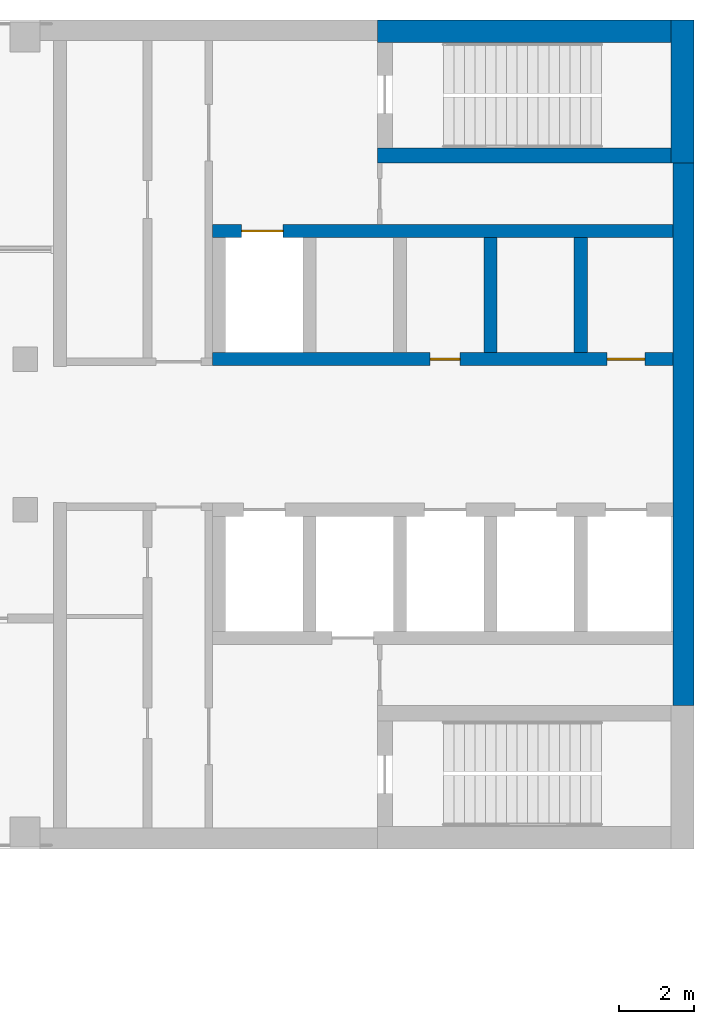
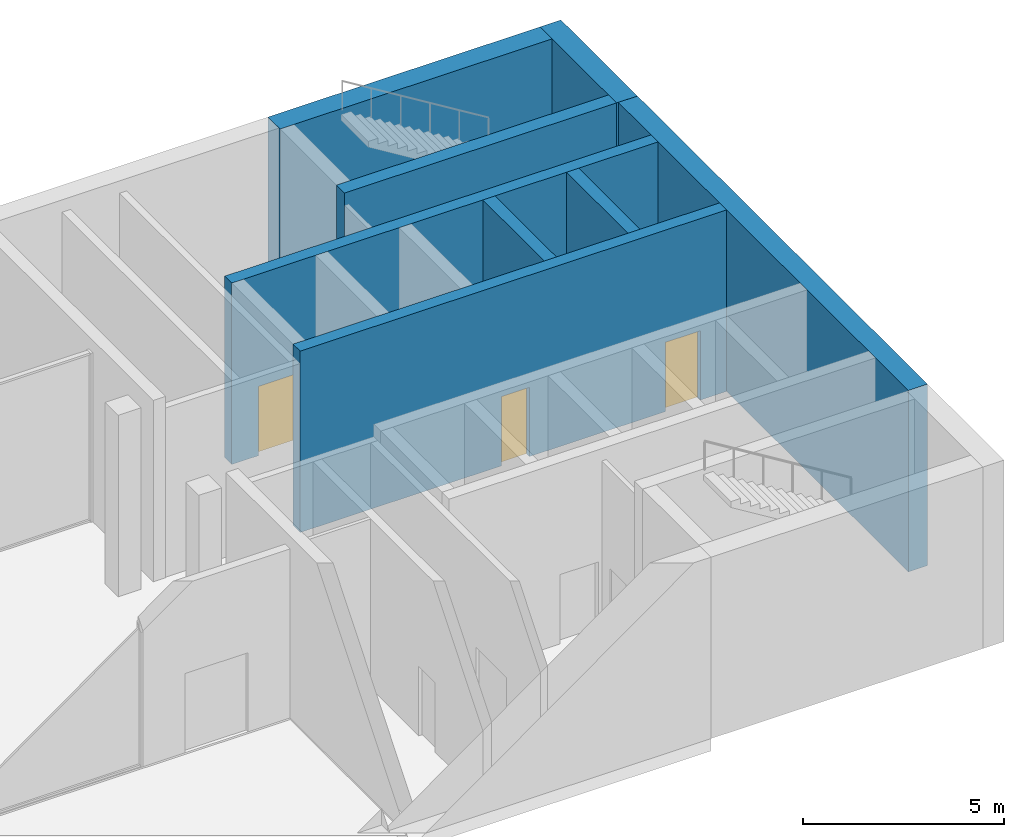
# One storey, part 11 of 17: 8 walls, 3 doors, 3 openings.
"""IFC4 building model written with IfcOpenShell, lengths in metres."""

from ifc_helpers import new_model, si_unit, direction, frame, frame_2d, origin, place, context, subcontext, project, spatial, rectangle, extrude, material, layer, layer_set, type_object, element, fill, save


model = new_model("IFC4")

# Units and contexts
model_context = context("Model", 3, precision=1e-05, world=origin(), true_north=direction((0.0, 1.0)))
body_context = subcontext(model_context, "Body", "Model", "MODEL_VIEW")
ifc_project = project(units=[si_unit("LENGTHUNIT", "METRE"), si_unit("AREAUNIT", "SQUARE_METRE"), si_unit("VOLUMEUNIT", "CUBIC_METRE"), si_unit("PLANEANGLEUNIT", "RADIAN"), si_unit("MASSUNIT", "GRAM", prefix="KILO")], contexts=[model_context])

# Site, building, storey
site_placement = place(None, origin())
site = spatial("IfcSite", under=ifc_project, at=site_placement, CompositionType="ELEMENT")
building_placement = place(site_placement, origin())
building = spatial("IfcBuilding", under=site, at=building_placement, Name="Skarvind Civic Tower", CompositionType="ELEMENT")
storey_placement = place(building_placement, frame((0.0, 0.0, 182.5)))
storey = spatial("IfcBuildingStorey", under=building, at=storey_placement, Name="L43", CompositionType="ELEMENT", Elevation=182.5)

# Wall, openings, doors
ifc_material_1 = material(Name="Concrete C60", Category="concrete")
ifc_layer_1 = layer(ifc_material_1, 0.35009765625)
ifc_layer_set_1 = layer_set([ifc_layer_1], Name="Core wall 350 C60")
wall_type_1 = type_object("IfcWallType", Name="Core wall 350 C60", PredefinedType="SHEAR", material=ifc_layer_set_1)
wall_1_placement = place(storey_placement, frame((107.449951171875, 130.0, 0.0), z_axis=(0.0, 0.0, 1.0), x_axis=(-1.0, 0.0, 0.0)))
wall_1 = element("IfcWall", 1, at=wall_1_placement, inside=storey, type_object=wall_type_1, Name="Core wall C1 south lift row front L43", PredefinedType="SHEAR", context=body_context, shape_type="SweptSolid", body=[
    extrude(rectangle(XDim=12.224853515625, YDim=0.35009765625, at=frame_2d((6.1123046875, 0.0))), origin(), (0.0, 0.0, 1.0), 5.5),
])
opening_1_placement = place(wall_1_placement, frame((0.75, 0.0, 0.0)))
opening_1 = element("IfcOpeningElement", 2, at=opening_1_placement, cuts=wall_1, Name="Opening D-L43-C1-05", PredefinedType="OPENING", context=body_context, shape_type="SweptSolid", body=[
    extrude(rectangle(XDim=1.0, YDim=2.10009765625, at=frame_2d((0.5, 1.050048828125))), frame((0.0, 0.18505859375, 0.0), z_axis=(0.0, -1.0, 0.0), x_axis=(1.0, 0.0, 0.0)), (0.0, 0.0, 1.0), 0.3701171875),
])
opening_2_placement = place(wall_1_placement, frame((5.64990234375, 0.0, 0.0)))
opening_2 = element("IfcOpeningElement", 3, at=opening_2_placement, cuts=wall_1, Name="Opening D-L43-C1-06", PredefinedType="OPENING", context=body_context, shape_type="SweptSolid", body=[
    extrude(rectangle(XDim=0.800048828125, YDim=2.10009765625, at=frame_2d((0.39990234375, 1.050048828125))), frame((0.0, 0.18505859375, 0.0), z_axis=(0.0, -1.0, 0.0), x_axis=(1.0, 0.0, 0.0)), (0.0, 0.0, 1.0), 0.3701171875),
])
ifc_material_2 = material(Name="Fire-rated steel door", Category="steel")
door_type_1 = type_object("IfcDoorType", Name="Core riser door 800", OperationType="NOTDEFINED", PredefinedType="DOOR", material=ifc_material_2)
door_1_placement = place(opening_2_placement, origin())
door_1 = element("IfcDoor", 4, at=door_1_placement, inside=storey, type_object=door_type_1, Name="Riser door", OperationType="SINGLE_SWING_RIGHT", OverallHeight=2.10009765625, OverallWidth=0.800048828125, PredefinedType="DOOR", context=body_context, shape_type="SweptSolid", body=[
    extrude(rectangle(XDim=0.800048828125, YDim=2.10009765625, at=frame_2d((0.39990234375, 1.050048828125))), frame((0.0, 0.02490234375, 0.0), z_axis=(0.0, -1.0, 0.0), x_axis=(1.0, 0.0, 0.0)), (0.0, 0.0, 1.0), 0.050048828125),
])
fill(opening_2, door_1)
door_type_2 = type_object("IfcDoorType", Name="Fire door 1000", OperationType="NOTDEFINED", PredefinedType="DOOR", material=ifc_material_2)
door_2_placement = place(opening_1_placement, origin())
door_2 = element("IfcDoor", 5, at=door_2_placement, inside=storey, type_object=door_type_2, Name="Fire door", OperationType="SINGLE_SWING_LEFT", OverallHeight=2.10009765625, OverallWidth=1.0, PredefinedType="DOOR", context=body_context, shape_type="SweptSolid", body=[
    extrude(rectangle(XDim=1.0, YDim=2.10009765625, at=frame_2d((0.5, 1.050048828125))), frame((0.0, 0.02490234375, 0.0), z_axis=(0.0, -1.0, 0.0), x_axis=(1.0, 0.0, 0.0)), (0.0, 0.0, 1.0), 0.050048828125),
])
fill(opening_1, door_2)

# Wall, opening, door
wall_2_placement = place(storey_placement, frame((107.449951171875, 133.39990234375, 0.0), z_axis=(0.0, 0.0, 1.0), x_axis=(-1.0, 0.0, 0.0)))
wall_2 = element("IfcWall", 6, at=wall_2_placement, inside=storey, type_object=wall_type_1, Name="Core wall C1 south lift row back L43", PredefinedType="SHEAR", context=body_context, shape_type="SweptSolid", body=[
    extrude(rectangle(XDim=12.224853515625, YDim=0.35009765625, at=frame_2d((6.1123046875, 0.0))), origin(), (0.0, 0.0, 1.0), 5.5),
])
opening_3_placement = place(wall_2_placement, frame((10.35009765625, 0.0, 0.0)))
opening_3 = element("IfcOpeningElement", 7, at=opening_3_placement, cuts=wall_2, Name="Opening LD45110", PredefinedType="OPENING", context=body_context, shape_type="SweptSolid", body=[
    extrude(rectangle(XDim=1.10009765625, YDim=2.10009765625, at=frame_2d((0.550048828125, 1.050048828125))), frame((0.0, 0.18505859375, 0.0), z_axis=(0.0, -1.0, 0.0), x_axis=(1.0, 0.0, 0.0)), (0.0, 0.0, 1.0), 0.3701171875),
])
ifc_material_3 = material(Name="Stainless steel landing door", Category="steel")
door_type_3 = type_object("IfcDoorType", Name="Lift landing door 1100", OperationType="DOUBLE_DOOR_SLIDING", PredefinedType="DOOR", material=ifc_material_3)
door_3_placement = place(opening_3_placement, origin())
door_3 = element("IfcDoor", 8, at=door_3_placement, inside=storey, type_object=door_type_3, Name="Lift landing door", OperationType="DOUBLE_DOOR_SLIDING", OverallHeight=2.10009765625, OverallWidth=1.10009765625, PredefinedType="DOOR", context=body_context, shape_type="SweptSolid", body=[
    extrude(rectangle(XDim=1.10009765625, YDim=2.10009765625, at=frame_2d((0.550048828125, 1.050048828125))), frame((0.0, 0.02490234375, 0.0), z_axis=(0.0, -1.0, 0.0), x_axis=(1.0, 0.0, 0.0)), (0.0, 0.0, 1.0), 0.050048828125),
])
fill(opening_3, door_3)

# Walls
for number, where, z_axis, x_axis, name in (
    (9, (105.0, 133.22509765625, 0.0), (0.0, 0.0, 1.0), (0.0, -1.0, 0.0), "Core wall C1 south lift row division 1 L43"),
    (10, (102.60009765625, 133.22509765625, 0.0), (0.0, 0.0, 1.0), (0.0, -1.0, 0.0), "Core wall C1 south lift row division 2 L43"),
):
    element("IfcWall", number, at=place(storey_placement, frame(where, z_axis=z_axis, x_axis=x_axis)), inside=storey, type_object=wall_type_1, Name=name, PredefinedType="SHEAR", context=body_context, shape_type="SweptSolid", body=[
        extrude(rectangle(XDim=3.050048828125, YDim=0.35009765625, at=frame_2d((1.52490234375, 0.0))), origin(), (0.0, 0.0, 1.0), 5.5),
    ])
ifc_layer_2 = layer(ifc_material_1, 0.39990234375)
ifc_layer_set_2 = layer_set([ifc_layer_2], Name="Core wall 400 C60")
wall_type_2 = type_object("IfcWallType", Name="Core wall 400 C60", PredefinedType="SHEAR", material=ifc_layer_set_2)
wall_3_placement = place(storey_placement, frame((107.39990234375, 135.39990234375, 0.0), z_axis=(0.0, 0.0, 1.0), x_axis=(-1.0, 0.0, 0.0)))
element("IfcWall", 11, at=wall_3_placement, inside=storey, type_object=wall_type_2, Name="Core wall C1 south stair inner L43", PredefinedType="SHEAR", context=body_context, shape_type="SweptSolid", body=[
    extrude(rectangle(XDim=7.7998046875, YDim=0.39990234375, at=frame_2d((3.89990234375, 0.0))), origin(), (0.0, 0.0, 1.0), 5.5),
])
ifc_layer_3 = layer(ifc_material_1, 0.550048828125)
ifc_layer_set_3 = layer_set([ifc_layer_3], Name="Core wall 550 C60")
wall_type_3 = type_object("IfcWallType", Name="Core wall 550 C60", PredefinedType="SHEAR", material=ifc_layer_set_3)
wall_4_placement = place(storey_placement, frame((107.72509765625, 135.199951171875, 0.0), z_axis=(0.0, 0.0, 1.0), x_axis=(0.0, -1.0, 0.0)))
element("IfcWall", 12, at=wall_4_placement, inside=storey, type_object=wall_type_3, Name="Core wall C1 tip between the stairs L43", PredefinedType="SHEAR", context=body_context, shape_type="SweptSolid", body=[
    extrude(rectangle(XDim=14.39990234375, YDim=0.550048828125, at=frame_2d((7.199951171875, 0.0))), origin(), (0.0, 0.0, 1.0), 5.5),
])
ifc_layer_4 = layer(ifc_material_1, 0.60009765625)
ifc_layer_set_4 = layer_set([ifc_layer_4], Name="Core wall 600 C60")
wall_type_4 = type_object("IfcWallType", Name="Core wall 600 C60", PredefinedType="SHEAR", material=ifc_layer_set_4)
wall_5_placement = place(storey_placement, frame((107.699951171875, 139.0, 0.0), z_axis=(0.0, 0.0, 1.0), x_axis=(0.0, -1.0, 0.0)))
element("IfcWall", 13, at=wall_5_placement, inside=storey, type_object=wall_type_4, Name="Core wall C1 tip at the south stair L43", PredefinedType="SHEAR", context=body_context, shape_type="SweptSolid", body=[
    extrude(rectangle(XDim=3.800048828125, YDim=0.60009765625, at=frame_2d((1.89990234375, 0.0))), origin(), (0.0, 0.0, 1.0), 5.5),
])
wall_6_placement = place(storey_placement, frame((107.39990234375, 138.699951171875, 0.0), z_axis=(0.0, 0.0, 1.0), x_axis=(-1.0, 0.0, 0.0)))
element("IfcWall", 14, at=wall_6_placement, inside=storey, type_object=wall_type_4, Name="Core wall C1 south side at the stair L43", PredefinedType="SHEAR", context=body_context, shape_type="SweptSolid", body=[
    extrude(rectangle(XDim=7.7998046875, YDim=0.60009765625, at=frame_2d((3.89990234375, 0.0))), origin(), (0.0, 0.0, 1.0), 5.5),
])

save(model, "model.ifc")
